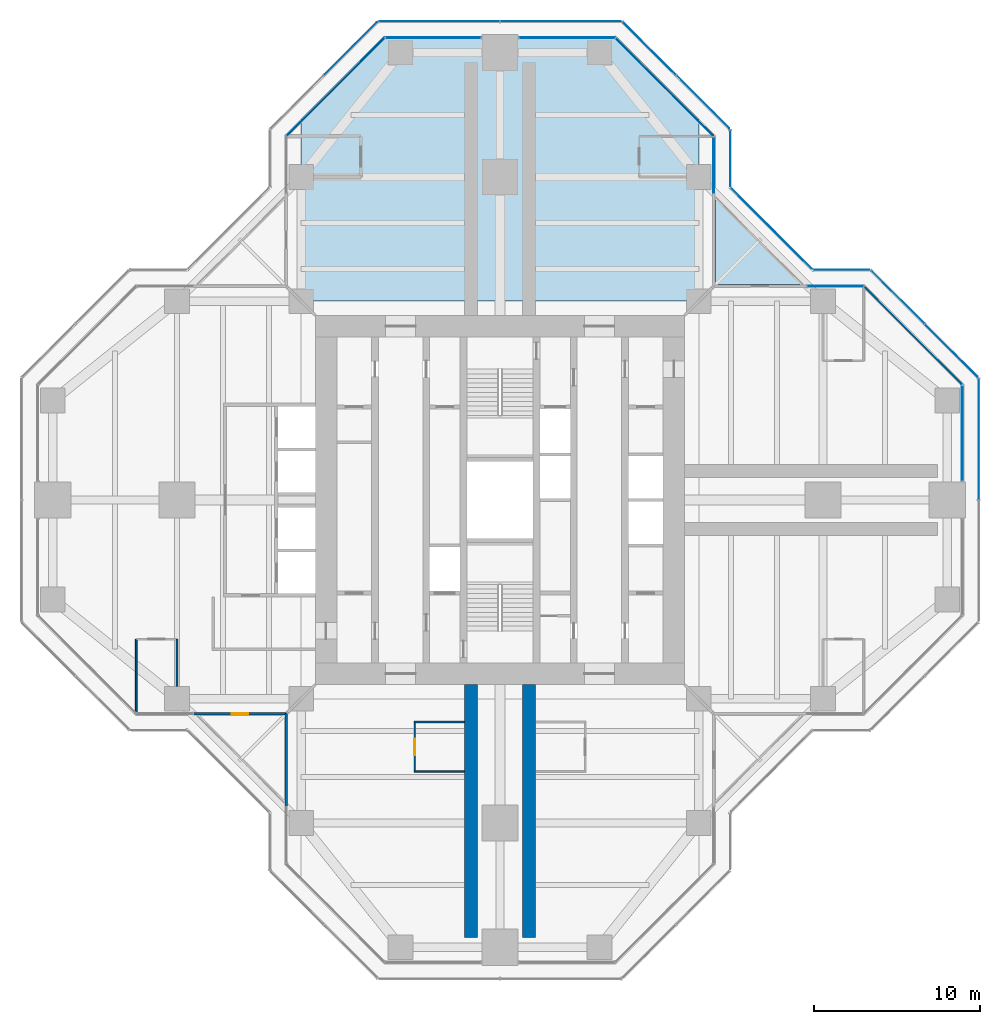
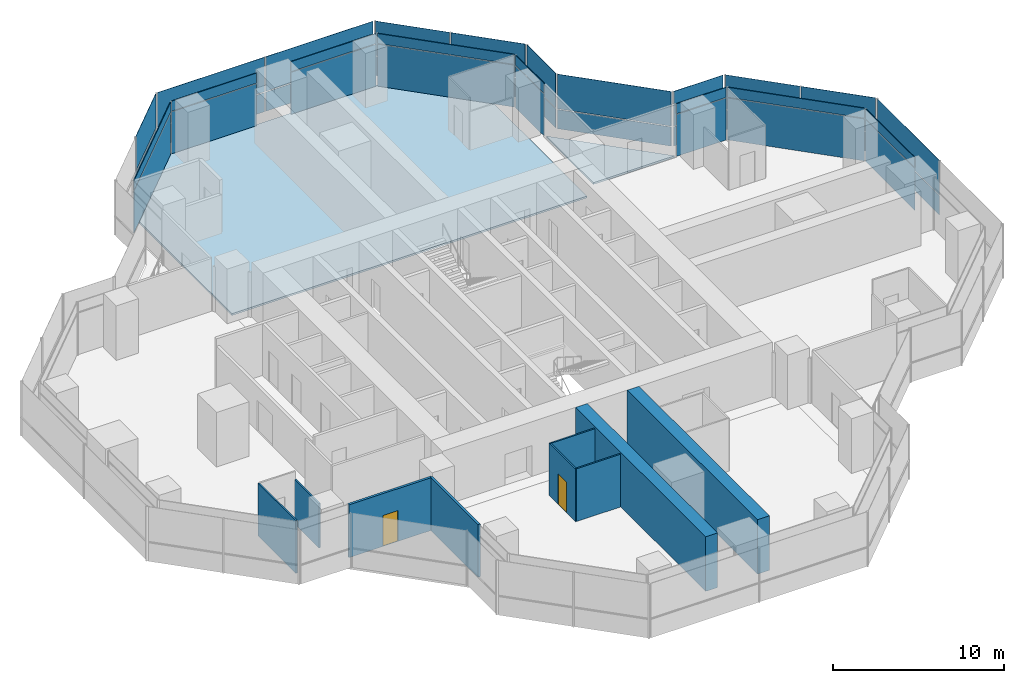
# One storey, part 12 of 17: 38 plates, 9 walls, 2 doors, 2 slabs, 2 openings, 16 elements without a shape of their own.
"""IFC4 building model written with IfcOpenShell, lengths in metres."""

from ifc_helpers import new_model, si_unit, direction, frame, frame_2d, origin, origin_2d, place, context, subcontext, project, spatial, polyline, rectangle, outline, extrude, material, layer, layer_set, type_object, element, fill, aggregate, save


model = new_model("IFC4")

# Units and contexts
model_context = context("Model", 3, precision=1e-05, world=origin(), true_north=direction((0.0, 1.0)))
body_context = subcontext(model_context, "Body", "Model", "MODEL_VIEW")
ifc_project = project(units=[si_unit("LENGTHUNIT", "METRE"), si_unit("AREAUNIT", "SQUARE_METRE"), si_unit("VOLUMEUNIT", "CUBIC_METRE"), si_unit("PLANEANGLEUNIT", "RADIAN"), si_unit("MASSUNIT", "GRAM", prefix="KILO")], contexts=[model_context])

# Site, building, storey
site_placement = place(None, origin())
site = spatial("IfcSite", under=ifc_project, at=site_placement, CompositionType="ELEMENT")
building_placement = place(site_placement, origin())
building = spatial("IfcBuilding", under=site, at=building_placement, Name="Mizan Broadcast Tower", CompositionType="ELEMENT")
storey_placement = place(building_placement, frame((0.0, 0.0, 255.60009765625)))
storey = spatial("IfcBuildingStorey", under=building, at=storey_placement, Name="L60", CompositionType="ELEMENT", Elevation=255.60009765625)

# Slab
ifc_material_1 = material(Name="Concrete C32/40", Category="concrete")
ifc_layer_1 = layer(ifc_material_1, 0.1298828125)
ifc_layer_set_1 = layer_set([ifc_layer_1], Name="Concrete C32/40")
slab_type_1 = type_object("IfcSlabType", Name="COMPOSITE DECK SLAB 130", PredefinedType="FLOOR", material=ifc_layer_set_1)
slab_1_placement = place(storey_placement, frame((0.0, 0.0, -0.130126953125)))
element("IfcSlab", 1, at=slab_1_placement, inside=storey, type_object=slab_type_1, Name="Floor slab L60 north arm", PredefinedType="FLOOR", context=body_context, shape_type="SweptSolid", body=[
    extrude(outline(polyline([(-7.0, 28.0), (-12.0, 23.0), (-12.0, 12.0), (12.0, 12.0), (12.0, 23.0), (7.0, 28.0), (-7.0, 28.0)])), origin(), (0.0, 0.0, 1.0), 0.130126953125),
])

# Curtain wall, plate
ifc_material_2 = material(Name="Aluminium framed glazing", Category="aluminium")
curtain_wall_type_1 = type_object("IfcCurtainWallType", Name="INNER SKIN HIGH ZONE", PredefinedType="USERDEFINED", material=ifc_material_2)
curtain_wall_1_placement = place(storey_placement, origin())
curtain_wall_1 = element("IfcCurtainWall", 2, at=curtain_wall_1_placement, inside=storey, type_object=curtain_wall_type_1, Name="Inner skin high zone L60 E end", ObjectType="INNER SKIN HIGH ZONE", PredefinedType="USERDEFINED")
ifc_material_3 = material(Name="Double glazing, clear low-e", Category="glass")
ifc_layer_2 = layer(ifc_material_3, 0.028076171875)
ifc_layer_set_2 = layer_set([ifc_layer_2], Name="Double glazing, clear low-e")
plate_type_1 = type_object("IfcPlateType", Name="INNER SKIN GLAZING UNIT", PredefinedType="CURTAIN_PANEL", material=ifc_layer_set_2)
plate_1_placement = place(storey_placement, frame((27.89990234375, 4.029296875, 0.0), z_axis=(0.0, 0.0, 1.0), x_axis=(0.0, 1.0, 0.0)))
plate_1 = element("IfcPlate", 3, at=plate_1_placement, type_object=plate_type_1, Name="Inner skin high zone L60 E end panel 1.1", PredefinedType="CURTAIN_PANEL", context=body_context, shape_type="SweptSolid", body=[
    extrude(rectangle(XDim=5.738525390625, YDim=0.028076171875, at=origin_2d()), origin(), (0.0, 0.0, 1.0), 3.0),
])

curtain_wall_2_placement = place(storey_placement, origin())
curtain_wall_2 = element("IfcCurtainWall", 4, at=curtain_wall_2_placement, inside=storey, type_object=curtain_wall_type_1, Name="Inner skin high zone L60 E chamfer", ObjectType="INNER SKIN HIGH ZONE", PredefinedType="USERDEFINED")
plate_2_placement = place(storey_placement, frame((24.92919921875, 9.92919921875, 0.0), z_axis=(0.0, 0.0, 1.0), x_axis=(-0.707106781187, 0.707106781187, 0.0)))
plate_2 = element("IfcPlate", 5, at=plate_2_placement, type_object=plate_type_1, Name="Inner skin high zone L60 E chamfer panel 1.1", PredefinedType="CURTAIN_PANEL", context=body_context, shape_type="SweptSolid", body=[
    extrude(rectangle(XDim=8.282470703125, YDim=0.028076171875, at=origin_2d()), origin(), (0.0, 0.0, 1.0), 3.0),
])

curtain_wall_3_placement = place(storey_placement, origin())
curtain_wall_3 = element("IfcCurtainWall", 6, at=curtain_wall_3_placement, inside=storey, type_object=curtain_wall_type_1, Name="Inner skin high zone L60 E side", ObjectType="INNER SKIN HIGH ZONE", PredefinedType="USERDEFINED")
plate_3_placement = place(storey_placement, frame((20.229248046875, 12.89990234375, 0.0), z_axis=(0.0, 0.0, 1.0), x_axis=(-1.0, 0.0, 0.0)))
plate_3 = element("IfcPlate", 7, at=plate_3_placement, type_object=plate_type_1, Name="Inner skin high zone L60 E side panel 1.1", PredefinedType="CURTAIN_PANEL", context=body_context, shape_type="SweptSolid", body=[
    extrude(rectangle(XDim=3.338623046875, YDim=0.028076171875, at=origin_2d()), origin(), (0.0, 0.0, 1.0), 3.0),
])

curtain_wall_4_placement = place(storey_placement, origin())
curtain_wall_4 = element("IfcCurtainWall", 8, at=curtain_wall_4_placement, inside=storey, type_object=curtain_wall_type_1, Name="Inner skin high zone L60 N side", ObjectType="INNER SKIN HIGH ZONE", PredefinedType="USERDEFINED")
plate_4_placement = place(storey_placement, frame((12.89990234375, 20.229248046875, 0.0), z_axis=(0.0, 0.0, 1.0), x_axis=(0.0, 1.0, 0.0)))
plate_4 = element("IfcPlate", 9, at=plate_4_placement, type_object=plate_type_1, Name="Inner skin high zone L60 N side panel 1.1", PredefinedType="CURTAIN_PANEL", context=body_context, shape_type="SweptSolid", body=[
    extrude(rectangle(XDim=3.338623046875, YDim=0.028076171875, at=origin_2d()), origin(), (0.0, 0.0, 1.0), 3.0),
])

curtain_wall_5_placement = place(storey_placement, origin())
curtain_wall_5 = element("IfcCurtainWall", 10, at=curtain_wall_5_placement, inside=storey, type_object=curtain_wall_type_1, Name="Inner skin high zone L60 N chamfer", ObjectType="INNER SKIN HIGH ZONE", PredefinedType="USERDEFINED")
plate_5_placement = place(storey_placement, frame((9.92919921875, 24.92919921875, 0.0), z_axis=(0.0, 0.0, 1.0), x_axis=(-0.707106781187, 0.707106781187, 0.0)))
plate_5 = element("IfcPlate", 11, at=plate_5_placement, type_object=plate_type_1, Name="Inner skin high zone L60 N chamfer panel 1.1", PredefinedType="CURTAIN_PANEL", context=body_context, shape_type="SweptSolid", body=[
    extrude(rectangle(XDim=8.282470703125, YDim=0.028076171875, at=origin_2d()), origin(), (0.0, 0.0, 1.0), 3.0),
])

curtain_wall_6_placement = place(storey_placement, origin())
curtain_wall_6 = element("IfcCurtainWall", 12, at=curtain_wall_6_placement, inside=storey, type_object=curtain_wall_type_1, Name="Inner skin high zone L60 N end", ObjectType="INNER SKIN HIGH ZONE", PredefinedType="USERDEFINED")
plate_6_placement = place(storey_placement, frame((4.029296875, 27.89990234375, 0.0), z_axis=(0.0, 0.0, 1.0), x_axis=(-1.0, 0.0, 0.0)))
plate_6 = element("IfcPlate", 13, at=plate_6_placement, type_object=plate_type_1, Name="Inner skin high zone L60 N end panel 1.1", PredefinedType="CURTAIN_PANEL", context=body_context, shape_type="SweptSolid", body=[
    extrude(rectangle(XDim=5.738525390625, YDim=0.028076171875, at=origin_2d()), origin(), (0.0, 0.0, 1.0), 3.0),
])

curtain_wall_7_placement = place(storey_placement, origin())
curtain_wall_7 = element("IfcCurtainWall", 14, at=curtain_wall_7_placement, inside=storey, type_object=curtain_wall_type_1, Name="Inner skin high zone L60 N end", ObjectType="INNER SKIN HIGH ZONE", PredefinedType="USERDEFINED")
plate_7_placement = place(storey_placement, frame((-4.029296875, 27.89990234375, 0.0), z_axis=(0.0, 0.0, 1.0), x_axis=(-1.0, 0.0, 0.0)))
plate_7 = element("IfcPlate", 15, at=plate_7_placement, type_object=plate_type_1, Name="Inner skin high zone L60 N end panel 1.1", PredefinedType="CURTAIN_PANEL", context=body_context, shape_type="SweptSolid", body=[
    extrude(rectangle(XDim=5.738525390625, YDim=0.028076171875, at=origin_2d()), origin(), (0.0, 0.0, 1.0), 3.0),
])

curtain_wall_8_placement = place(storey_placement, origin())
curtain_wall_8 = element("IfcCurtainWall", 16, at=curtain_wall_8_placement, inside=storey, type_object=curtain_wall_type_1, Name="Inner skin high zone L60 N chamfer", ObjectType="INNER SKIN HIGH ZONE", PredefinedType="USERDEFINED")
plate_8_placement = place(storey_placement, frame((-9.92919921875, 24.92919921875, 0.0), z_axis=(0.0, 0.0, 1.0), x_axis=(-0.707106781187, -0.707106781187, 0.0)))
plate_8 = element("IfcPlate", 17, at=plate_8_placement, type_object=plate_type_1, Name="Inner skin high zone L60 N chamfer panel 1.1", PredefinedType="CURTAIN_PANEL", context=body_context, shape_type="SweptSolid", body=[
    extrude(rectangle(XDim=8.282470703125, YDim=0.028076171875, at=origin_2d()), origin(), (0.0, 0.0, 1.0), 3.0),
])

# Plate
ifc_material_4 = material(Name="Insulated aluminium spandrel panel, pale anodised", Category="aluminium")
ifc_layer_3 = layer(ifc_material_4, 0.050048828125)
ifc_layer_set_3 = layer_set([ifc_layer_3], Name="Insulated aluminium spandrel panel, pale anodised")
plate_type_2 = type_object("IfcPlateType", Name="INNER SKIN SPANDREL PANEL", PredefinedType="CURTAIN_PANEL", material=ifc_layer_set_3)
plate_9_placement = place(storey_placement, frame((27.89990234375, 4.029296875, 3.059814453125), z_axis=(0.0, 0.0, 1.0), x_axis=(0.0, 1.0, 0.0)))
plate_9 = element("IfcPlate", 18, at=plate_9_placement, type_object=plate_type_2, Name="Inner skin high zone L60 E end panel 1.2", PredefinedType="CURTAIN_PANEL", context=body_context, shape_type="SweptSolid", body=[
    extrude(rectangle(XDim=5.738525390625, YDim=0.050048828125, at=origin_2d()), origin(), (0.0, 0.0, 1.0), 0.7099609375),
])

aggregate(curtain_wall_1, [plate_1, plate_9])

plate_10_placement = place(storey_placement, frame((24.92919921875, 9.92919921875, 3.059814453125), z_axis=(0.0, 0.0, 1.0), x_axis=(-0.707106781187, 0.707106781187, 0.0)))
plate_10 = element("IfcPlate", 19, at=plate_10_placement, type_object=plate_type_2, Name="Inner skin high zone L60 E chamfer panel 1.2", PredefinedType="CURTAIN_PANEL", context=body_context, shape_type="SweptSolid", body=[
    extrude(rectangle(XDim=8.282470703125, YDim=0.050048828125, at=origin_2d()), origin(), (0.0, 0.0, 1.0), 0.7099609375),
])

aggregate(curtain_wall_2, [plate_2, plate_10])

plate_11_placement = place(storey_placement, frame((20.229248046875, 12.89990234375, 3.059814453125), z_axis=(0.0, 0.0, 1.0), x_axis=(-1.0, 0.0, 0.0)))
plate_11 = element("IfcPlate", 20, at=plate_11_placement, type_object=plate_type_2, Name="Inner skin high zone L60 E side panel 1.2", PredefinedType="CURTAIN_PANEL", context=body_context, shape_type="SweptSolid", body=[
    extrude(rectangle(XDim=3.338623046875, YDim=0.050048828125, at=origin_2d()), origin(), (0.0, 0.0, 1.0), 0.7099609375),
])

aggregate(curtain_wall_3, [plate_3, plate_11])

plate_12_placement = place(storey_placement, frame((12.89990234375, 20.229248046875, 3.059814453125), z_axis=(0.0, 0.0, 1.0), x_axis=(0.0, 1.0, 0.0)))
plate_12 = element("IfcPlate", 21, at=plate_12_placement, type_object=plate_type_2, Name="Inner skin high zone L60 N side panel 1.2", PredefinedType="CURTAIN_PANEL", context=body_context, shape_type="SweptSolid", body=[
    extrude(rectangle(XDim=3.338623046875, YDim=0.050048828125, at=origin_2d()), origin(), (0.0, 0.0, 1.0), 0.7099609375),
])

aggregate(curtain_wall_4, [plate_4, plate_12])

plate_13_placement = place(storey_placement, frame((9.92919921875, 24.92919921875, 3.059814453125), z_axis=(0.0, 0.0, 1.0), x_axis=(-0.707106781187, 0.707106781187, 0.0)))
plate_13 = element("IfcPlate", 22, at=plate_13_placement, type_object=plate_type_2, Name="Inner skin high zone L60 N chamfer panel 1.2", PredefinedType="CURTAIN_PANEL", context=body_context, shape_type="SweptSolid", body=[
    extrude(rectangle(XDim=8.282470703125, YDim=0.050048828125, at=origin_2d()), origin(), (0.0, 0.0, 1.0), 0.7099609375),
])

aggregate(curtain_wall_5, [plate_5, plate_13])

plate_14_placement = place(storey_placement, frame((4.029296875, 27.89990234375, 3.059814453125), z_axis=(0.0, 0.0, 1.0), x_axis=(-1.0, 0.0, 0.0)))
plate_14 = element("IfcPlate", 23, at=plate_14_placement, type_object=plate_type_2, Name="Inner skin high zone L60 N end panel 1.2", PredefinedType="CURTAIN_PANEL", context=body_context, shape_type="SweptSolid", body=[
    extrude(rectangle(XDim=5.738525390625, YDim=0.050048828125, at=origin_2d()), origin(), (0.0, 0.0, 1.0), 0.7099609375),
])

aggregate(curtain_wall_6, [plate_6, plate_14])

plate_15_placement = place(storey_placement, frame((-4.029296875, 27.89990234375, 3.059814453125), z_axis=(0.0, 0.0, 1.0), x_axis=(-1.0, 0.0, 0.0)))
plate_15 = element("IfcPlate", 24, at=plate_15_placement, type_object=plate_type_2, Name="Inner skin high zone L60 N end panel 1.2", PredefinedType="CURTAIN_PANEL", context=body_context, shape_type="SweptSolid", body=[
    extrude(rectangle(XDim=5.738525390625, YDim=0.050048828125, at=origin_2d()), origin(), (0.0, 0.0, 1.0), 0.7099609375),
])

aggregate(curtain_wall_7, [plate_7, plate_15])

plate_16_placement = place(storey_placement, frame((-9.92919921875, 24.92919921875, 3.059814453125), z_axis=(0.0, 0.0, 1.0), x_axis=(-0.707106781187, -0.707106781187, 0.0)))
plate_16 = element("IfcPlate", 25, at=plate_16_placement, type_object=plate_type_2, Name="Inner skin high zone L60 N chamfer panel 1.2", PredefinedType="CURTAIN_PANEL", context=body_context, shape_type="SweptSolid", body=[
    extrude(rectangle(XDim=8.282470703125, YDim=0.050048828125, at=origin_2d()), origin(), (0.0, 0.0, 1.0), 0.7099609375),
])

aggregate(curtain_wall_8, [plate_8, plate_16])

# Curtain wall, plates
ifc_material_5 = material(Name="Aluminium framed glazing", Category="aluminium")
curtain_wall_type_2 = type_object("IfcCurtainWallType", Name="OUTER SKIN", PredefinedType="USERDEFINED", material=ifc_material_5)
curtain_wall_9_placement = place(storey_placement, origin())
curtain_wall_9 = element("IfcCurtainWall", 26, at=curtain_wall_9_placement, inside=storey, type_object=curtain_wall_type_2, Name="Outer skin L60 E chamfer", ObjectType="OUTER SKIN", PredefinedType="USERDEFINED")
ifc_material_6 = material(Name="Laminated clear glass", Category="glass")
ifc_layer_4 = layer(ifc_material_6, 0.02001953125)
ifc_layer_set_4 = layer_set([ifc_layer_4], Name="Laminated clear glass")
plate_type_3 = type_object("IfcPlateType", Name="OUTER SKIN CLEAR GLASS", PredefinedType="CURTAIN_PANEL", material=ifc_layer_set_4)
plate_17_placement = place(storey_placement, frame((27.254150390625, 9.018798828125, -0.000244140625), z_axis=(0.0, 0.0, 1.0), x_axis=(-0.707106781187, 0.707106781187, 0.0)))
plate_17 = element("IfcPlate", 27, at=plate_17_placement, type_object=plate_type_3, Name="Outer skin L60 E chamfer panel 1.1", PredefinedType="CURTAIN_PANEL", context=body_context, shape_type="SweptSolid", body=[
    extrude(rectangle(XDim=4.495361328125, YDim=0.02001953125, at=origin_2d()), origin(), (0.0, 0.0, 1.0), 1.3701171875),
])
plate_18_placement = place(storey_placement, frame((27.254150390625, 9.018798828125, 1.4296875), z_axis=(0.0, 0.0, 1.0), x_axis=(-0.707106781187, 0.707106781187, 0.0)))
plate_18 = element("IfcPlate", 28, at=plate_18_placement, type_object=plate_type_3, Name="Outer skin L60 E chamfer panel 1.2", PredefinedType="CURTAIN_PANEL", context=body_context, shape_type="SweptSolid", body=[
    extrude(rectangle(XDim=4.495361328125, YDim=0.02001953125, at=origin_2d()), origin(), (0.0, 0.0, 1.0), 2.469970703125),
])

curtain_wall_10_placement = place(storey_placement, origin())
curtain_wall_10 = element("IfcCurtainWall", 29, at=curtain_wall_10_placement, inside=storey, type_object=curtain_wall_type_2, Name="Outer skin L60 E side", ObjectType="OUTER SKIN", PredefinedType="USERDEFINED")
plate_19_placement = place(storey_placement, frame((20.622802734375, 13.89990234375, -0.000244140625), z_axis=(0.0, 0.0, 1.0), x_axis=(-1.0, 0.0, 0.0)))
plate_19 = element("IfcPlate", 30, at=plate_19_placement, type_object=plate_type_3, Name="Outer skin L60 E side panel 1.1", PredefinedType="CURTAIN_PANEL", context=body_context, shape_type="SweptSolid", body=[
    extrude(rectangle(XDim=3.340087890625, YDim=0.02001953125, at=origin_2d()), origin(), (0.0, 0.0, 1.0), 1.3701171875),
])
plate_20_placement = place(storey_placement, frame((20.622802734375, 13.89990234375, 1.4296875), z_axis=(0.0, 0.0, 1.0), x_axis=(-1.0, 0.0, 0.0)))
plate_20 = element("IfcPlate", 31, at=plate_20_placement, type_object=plate_type_3, Name="Outer skin L60 E side panel 1.2", PredefinedType="CURTAIN_PANEL", context=body_context, shape_type="SweptSolid", body=[
    extrude(rectangle(XDim=3.340087890625, YDim=0.02001953125, at=origin_2d()), origin(), (0.0, 0.0, 1.0), 2.469970703125),
])
aggregate(curtain_wall_10, [plate_19, plate_20])

curtain_wall_11_placement = place(storey_placement, origin())
curtain_wall_11 = element("IfcCurtainWall", 32, at=curtain_wall_11_placement, inside=storey, type_object=curtain_wall_type_2, Name="Outer skin L60 E chamfer", ObjectType="OUTER SKIN", PredefinedType="USERDEFINED")
plate_21_placement = place(storey_placement, frame((16.386474609375, 16.386474609375, -0.000244140625), z_axis=(0.0, 0.0, 1.0), x_axis=(-0.707106781187, 0.707106781187, 0.0)))
plate_21 = element("IfcPlate", 33, at=plate_21_placement, type_object=plate_type_3, Name="Outer skin L60 E chamfer panel 1.1", PredefinedType="CURTAIN_PANEL", context=body_context, shape_type="SweptSolid", body=[
    extrude(rectangle(XDim=6.87255859375, YDim=0.02001953125, at=origin_2d()), origin(), (0.0, 0.0, 1.0), 1.3701171875),
])
plate_22_placement = place(storey_placement, frame((16.386474609375, 16.386474609375, 1.4296875), z_axis=(0.0, 0.0, 1.0), x_axis=(-0.707106781187, 0.707106781187, 0.0)))
plate_22 = element("IfcPlate", 34, at=plate_22_placement, type_object=plate_type_3, Name="Outer skin L60 E chamfer panel 1.2", PredefinedType="CURTAIN_PANEL", context=body_context, shape_type="SweptSolid", body=[
    extrude(rectangle(XDim=6.87255859375, YDim=0.02001953125, at=origin_2d()), origin(), (0.0, 0.0, 1.0), 2.469970703125),
])
aggregate(curtain_wall_11, [plate_21, plate_22])

curtain_wall_12_placement = place(storey_placement, origin())
curtain_wall_12 = element("IfcCurtainWall", 35, at=curtain_wall_12_placement, inside=storey, type_object=curtain_wall_type_2, Name="Outer skin L60 N side", ObjectType="OUTER SKIN", PredefinedType="USERDEFINED")
plate_23_placement = place(storey_placement, frame((13.89990234375, 20.622802734375, -0.000244140625), z_axis=(0.0, 0.0, 1.0), x_axis=(0.0, 1.0, 0.0)))
plate_23 = element("IfcPlate", 36, at=plate_23_placement, type_object=plate_type_3, Name="Outer skin L60 N side panel 1.1", PredefinedType="CURTAIN_PANEL", context=body_context, shape_type="SweptSolid", body=[
    extrude(rectangle(XDim=3.340087890625, YDim=0.02001953125, at=origin_2d()), origin(), (0.0, 0.0, 1.0), 1.3701171875),
])
plate_24_placement = place(storey_placement, frame((13.89990234375, 20.622802734375, 1.4296875), z_axis=(0.0, 0.0, 1.0), x_axis=(0.0, 1.0, 0.0)))
plate_24 = element("IfcPlate", 37, at=plate_24_placement, type_object=plate_type_3, Name="Outer skin L60 N side panel 1.2", PredefinedType="CURTAIN_PANEL", context=body_context, shape_type="SweptSolid", body=[
    extrude(rectangle(XDim=3.340087890625, YDim=0.02001953125, at=origin_2d()), origin(), (0.0, 0.0, 1.0), 2.469970703125),
])
aggregate(curtain_wall_12, [plate_23, plate_24])

curtain_wall_13_placement = place(storey_placement, origin())
curtain_wall_13 = element("IfcCurtainWall", 38, at=curtain_wall_13_placement, inside=storey, type_object=curtain_wall_type_2, Name="Outer skin L60 N chamfer", ObjectType="OUTER SKIN", PredefinedType="USERDEFINED")
plate_25_placement = place(storey_placement, frame((12.254150390625, 24.018798828125, -0.000244140625), z_axis=(0.0, 0.0, 1.0), x_axis=(-0.707106781187, 0.707106781187, 0.0)))
plate_25 = element("IfcPlate", 39, at=plate_25_placement, type_object=plate_type_3, Name="Outer skin L60 N chamfer panel 1.1", PredefinedType="CURTAIN_PANEL", context=body_context, shape_type="SweptSolid", body=[
    extrude(rectangle(XDim=4.495361328125, YDim=0.02001953125, at=origin_2d()), origin(), (0.0, 0.0, 1.0), 1.3701171875),
])
plate_26_placement = place(storey_placement, frame((12.254150390625, 24.018798828125, 1.4296875), z_axis=(0.0, 0.0, 1.0), x_axis=(-0.707106781187, 0.707106781187, 0.0)))
plate_26 = element("IfcPlate", 40, at=plate_26_placement, type_object=plate_type_3, Name="Outer skin L60 N chamfer panel 1.2", PredefinedType="CURTAIN_PANEL", context=body_context, shape_type="SweptSolid", body=[
    extrude(rectangle(XDim=4.495361328125, YDim=0.02001953125, at=origin_2d()), origin(), (0.0, 0.0, 1.0), 2.469970703125),
])

curtain_wall_14_placement = place(storey_placement, origin())
curtain_wall_14 = element("IfcCurtainWall", 41, at=curtain_wall_14_placement, inside=storey, type_object=curtain_wall_type_2, Name="Outer skin L60 N end", ObjectType="OUTER SKIN", PredefinedType="USERDEFINED")
plate_27_placement = place(storey_placement, frame((3.66650390625, 28.89990234375, -0.000244140625), z_axis=(0.0, 0.0, 1.0), x_axis=(-1.0, 0.0, 0.0)))
plate_27 = element("IfcPlate", 42, at=plate_27_placement, type_object=plate_type_3, Name="Outer skin L60 N end panel 1.1", PredefinedType="CURTAIN_PANEL", context=body_context, shape_type="SweptSolid", body=[
    extrude(rectangle(XDim=7.252685546875, YDim=0.02001953125, at=origin_2d()), origin(), (0.0, 0.0, 1.0), 1.3701171875),
])
plate_28_placement = place(storey_placement, frame((3.66650390625, 28.89990234375, 1.4296875), z_axis=(0.0, 0.0, 1.0), x_axis=(-1.0, 0.0, 0.0)))
plate_28 = element("IfcPlate", 43, at=plate_28_placement, type_object=plate_type_3, Name="Outer skin L60 N end panel 1.2", PredefinedType="CURTAIN_PANEL", context=body_context, shape_type="SweptSolid", body=[
    extrude(rectangle(XDim=7.252685546875, YDim=0.02001953125, at=origin_2d()), origin(), (0.0, 0.0, 1.0), 2.469970703125),
])
plate_29_placement = place(storey_placement, frame((-3.66650390625, 28.89990234375, -0.000244140625), z_axis=(0.0, 0.0, 1.0), x_axis=(-1.0, 0.0, 0.0)))
plate_29 = element("IfcPlate", 44, at=plate_29_placement, type_object=plate_type_3, Name="Outer skin L60 N end panel 2.1", PredefinedType="CURTAIN_PANEL", context=body_context, shape_type="SweptSolid", body=[
    extrude(rectangle(XDim=7.252685546875, YDim=0.02001953125, at=origin_2d()), origin(), (0.0, 0.0, 1.0), 1.3701171875),
])
plate_30_placement = place(storey_placement, frame((-3.66650390625, 28.89990234375, 1.4296875), z_axis=(0.0, 0.0, 1.0), x_axis=(-1.0, 0.0, 0.0)))
plate_30 = element("IfcPlate", 45, at=plate_30_placement, type_object=plate_type_3, Name="Outer skin L60 N end panel 2.2", PredefinedType="CURTAIN_PANEL", context=body_context, shape_type="SweptSolid", body=[
    extrude(rectangle(XDim=7.252685546875, YDim=0.02001953125, at=origin_2d()), origin(), (0.0, 0.0, 1.0), 2.469970703125),
])
aggregate(curtain_wall_14, [plate_27, plate_28, plate_29, plate_30])

curtain_wall_15_placement = place(storey_placement, origin())
curtain_wall_15 = element("IfcCurtainWall", 46, at=curtain_wall_15_placement, inside=storey, type_object=curtain_wall_type_2, Name="Outer skin L60 N chamfer", ObjectType="OUTER SKIN", PredefinedType="USERDEFINED")
plate_31_placement = place(storey_placement, frame((-9.018798828125, 27.254150390625, -0.000244140625), z_axis=(0.0, 0.0, 1.0), x_axis=(-0.707106781187, -0.707106781187, 0.0)))
plate_31 = element("IfcPlate", 47, at=plate_31_placement, type_object=plate_type_3, Name="Outer skin L60 N chamfer panel 1.1", PredefinedType="CURTAIN_PANEL", context=body_context, shape_type="SweptSolid", body=[
    extrude(rectangle(XDim=4.495361328125, YDim=0.02001953125, at=origin_2d()), origin(), (0.0, 0.0, 1.0), 1.3701171875),
])
plate_32_placement = place(storey_placement, frame((-9.018798828125, 27.254150390625, 1.4296875), z_axis=(0.0, 0.0, 1.0), x_axis=(-0.707106781187, -0.707106781187, 0.0)))
plate_32 = element("IfcPlate", 48, at=plate_32_placement, type_object=plate_type_3, Name="Outer skin L60 N chamfer panel 1.2", PredefinedType="CURTAIN_PANEL", context=body_context, shape_type="SweptSolid", body=[
    extrude(rectangle(XDim=4.495361328125, YDim=0.02001953125, at=origin_2d()), origin(), (0.0, 0.0, 1.0), 2.469970703125),
])
aggregate(curtain_wall_15, [plate_31, plate_32])

curtain_wall_16_placement = place(storey_placement, origin())
curtain_wall_16 = element("IfcCurtainWall", 49, at=curtain_wall_16_placement, inside=storey, type_object=curtain_wall_type_2, Name="Outer skin L60 E end", ObjectType="OUTER SKIN", PredefinedType="USERDEFINED")
ifc_material_7 = material(Name="Perforated aluminium, pale anodised", Category="aluminium")
ifc_layer_5 = layer(ifc_material_7, 0.011962890625)
ifc_layer_set_5 = layer_set([ifc_layer_5], Name="Perforated aluminium, pale anodised")
plate_type_4 = type_object("IfcPlateType", Name="OUTER SKIN PERFORATED SCREEN", PredefinedType="USERDEFINED", material=ifc_layer_set_5)
plate_33_placement = place(storey_placement, frame((28.89990234375, 3.66650390625, -0.000244140625), z_axis=(0.0, 0.0, 1.0), x_axis=(0.0, 1.0, 0.0)))
plate_33 = element("IfcPlate", 50, at=plate_33_placement, type_object=plate_type_4, Name="Outer skin L60 E end panel 2.1", ObjectType="SCREEN", PredefinedType="USERDEFINED", context=body_context, shape_type="SweptSolid", body=[
    extrude(rectangle(XDim=7.252685546875, YDim=0.011962890625, at=origin_2d()), origin(), (0.0, 0.0, 1.0), 1.3701171875),
])
plate_34_placement = place(storey_placement, frame((28.89990234375, 3.66650390625, 1.4296875), z_axis=(0.0, 0.0, 1.0), x_axis=(0.0, 1.0, 0.0)))
plate_34 = element("IfcPlate", 51, at=plate_34_placement, type_object=plate_type_4, Name="Outer skin L60 E end panel 2.2", ObjectType="SCREEN", PredefinedType="USERDEFINED", context=body_context, shape_type="SweptSolid", body=[
    extrude(rectangle(XDim=7.252685546875, YDim=0.011962890625, at=origin_2d()), origin(), (0.0, 0.0, 1.0), 2.469970703125),
])
aggregate(curtain_wall_16, [plate_33, plate_34])

# Plate
plate_35_placement = place(storey_placement, frame((24.018798828125, 12.254150390625, -0.000244140625), z_axis=(0.0, 0.0, 1.0), x_axis=(-0.707106781187, 0.707106781187, 0.0)))
plate_35 = element("IfcPlate", 52, at=plate_35_placement, type_object=plate_type_4, Name="Outer skin L60 E chamfer panel 2.1", ObjectType="SCREEN", PredefinedType="USERDEFINED", context=body_context, shape_type="SweptSolid", body=[
    extrude(rectangle(XDim=4.495361328125, YDim=0.011962890625, at=origin_2d()), origin(), (0.0, 0.0, 1.0), 1.3701171875),
])

plate_36_placement = place(storey_placement, frame((24.018798828125, 12.254150390625, 1.4296875), z_axis=(0.0, 0.0, 1.0), x_axis=(-0.707106781187, 0.707106781187, 0.0)))
plate_36 = element("IfcPlate", 53, at=plate_36_placement, type_object=plate_type_4, Name="Outer skin L60 E chamfer panel 2.2", ObjectType="SCREEN", PredefinedType="USERDEFINED", context=body_context, shape_type="SweptSolid", body=[
    extrude(rectangle(XDim=4.495361328125, YDim=0.011962890625, at=origin_2d()), origin(), (0.0, 0.0, 1.0), 2.469970703125),
])

aggregate(curtain_wall_9, [plate_17, plate_18, plate_35, plate_36])

plate_37_placement = place(storey_placement, frame((9.018798828125, 27.254150390625, -0.000244140625), z_axis=(0.0, 0.0, 1.0), x_axis=(-0.707106781187, 0.707106781187, 0.0)))
plate_37 = element("IfcPlate", 54, at=plate_37_placement, type_object=plate_type_4, Name="Outer skin L60 N chamfer panel 2.1", ObjectType="SCREEN", PredefinedType="USERDEFINED", context=body_context, shape_type="SweptSolid", body=[
    extrude(rectangle(XDim=4.495361328125, YDim=0.011962890625, at=origin_2d()), origin(), (0.0, 0.0, 1.0), 1.3701171875),
])

plate_38_placement = place(storey_placement, frame((9.018798828125, 27.254150390625, 1.4296875), z_axis=(0.0, 0.0, 1.0), x_axis=(-0.707106781187, 0.707106781187, 0.0)))
plate_38 = element("IfcPlate", 55, at=plate_38_placement, type_object=plate_type_4, Name="Outer skin L60 N chamfer panel 2.2", ObjectType="SCREEN", PredefinedType="USERDEFINED", context=body_context, shape_type="SweptSolid", body=[
    extrude(rectangle(XDim=4.495361328125, YDim=0.011962890625, at=origin_2d()), origin(), (0.0, 0.0, 1.0), 2.469970703125),
])

aggregate(curtain_wall_13, [plate_25, plate_26, plate_37, plate_38])

# Slab
ifc_material_8 = material(Name="Concrete C32/40", Category="concrete")
ifc_layer_6 = layer(ifc_material_8, 0.1298828125)
ifc_layer_set_6 = layer_set([ifc_layer_6], Name="Concrete C32/40")
slab_type_2 = type_object("IfcSlabType", Name="WINTER GARDEN SLAB 130", PredefinedType="FLOOR", material=ifc_layer_set_6)
slab_2_placement = place(storey_placement, frame((0.0, 0.0, -0.130126953125)))
element("IfcSlab", 56, at=slab_2_placement, inside=storey, type_object=slab_type_2, Name="Winter garden slab L60 E", PredefinedType="FLOOR", context=body_context, shape_type="SweptSolid", body=[
    extrude(outline(polyline([(13.0, 13.0), (18.5, 13.0), (13.0, 18.5), (13.0, 13.0)])), origin(), (0.0, 0.0, 1.0), 0.130126953125),
])

# Wall, opening, door
ifc_material_9 = material(Name="Aluminium framed glazed screen", Category="aluminium")
ifc_layer_7 = layer(ifc_material_9, 0.159912109375)
ifc_layer_set_7 = layer_set([ifc_layer_7], Name="Aluminium framed glazed screen")
wall_type_1 = type_object("IfcWallType", Name="GLAZED SCREEN WALL 160", PredefinedType="SOLIDWALL", material=ifc_layer_set_7)
wall_1_placement = place(storey_placement, frame((-18.5, -12.89990234375, 0.0), z_axis=(0.0, 0.0, 1.0), x_axis=(1.0, 0.0, 0.0)))
wall_1 = element("IfcWall", 57, at=wall_1_placement, inside=storey, type_object=wall_type_1, Name="Winter garden screen L60 W", PredefinedType="SOLIDWALL", context=body_context, shape_type="SweptSolid", body=[
    extrude(rectangle(XDim=5.60009765625, YDim=0.159912109375, at=frame_2d((2.800048828125, 0.0))), origin(), (0.0, 0.0, 1.0), 3.77001953125),
])
opening_1_placement = place(wall_1_placement, frame((2.300048828125, 0.0, 0.0)))
opening_1 = element("IfcOpeningElement", 58, at=opening_1_placement, cuts=wall_1, Name="Opening WGD", PredefinedType="OPENING", context=body_context, shape_type="SweptSolid", body=[
    extrude(rectangle(XDim=1.0, YDim=2.199951171875, at=frame_2d((0.5, 1.10009765625))), frame((0.0, 0.08984375, 0.0), z_axis=(0.0, -1.0, 0.0), x_axis=(1.0, 0.0, 0.0)), (0.0, 0.0, 1.0), 0.179931640625),
])
ifc_material_10 = material(Name="Aluminium framed glazed door", Category="aluminium")
door_type_1 = type_object("IfcDoorType", Name="WINTER GARDEN DOOR 1000 GLAZED", OperationType="SINGLE_SWING_LEFT", PredefinedType="DOOR", material=ifc_material_10)
door_1_placement = place(opening_1_placement, origin())
door_1 = element("IfcDoor", 59, at=door_1_placement, inside=storey, type_object=door_type_1, Name="Winter garden door L60 W", OperationType="SINGLE_SWING_RIGHT", OverallHeight=2.199951171875, OverallWidth=1.0, PredefinedType="DOOR", context=body_context, shape_type="SweptSolid", body=[
    extrude(rectangle(XDim=1.0, YDim=2.199951171875, at=frame_2d((0.5, 1.10009765625))), frame((0.0, 0.02490234375, 0.0), z_axis=(0.0, -1.0, 0.0), x_axis=(1.0, 0.0, 0.0)), (0.0, 0.0, 1.0), 0.050048828125),
])
fill(opening_1, door_1)

# Walls
wall_2_placement = place(storey_placement, frame((-12.89990234375, -12.89990234375, 0.0), z_axis=(0.0, 0.0, 1.0), x_axis=(0.0, -1.0, 0.0)))
element("IfcWall", 60, at=wall_2_placement, inside=storey, type_object=wall_type_1, Name="Winter garden screen L60 S", PredefinedType="SOLIDWALL", context=body_context, shape_type="SweptSolid", body=[
    extrude(rectangle(XDim=5.60009765625, YDim=0.159912109375, at=frame_2d((2.800048828125, 0.0))), origin(), (0.0, 0.0, 1.0), 3.77001953125),
])
ifc_material_11 = material(Name="Glazed aluminium partition on aluminium track", Category="aluminium")
ifc_layer_8 = layer(ifc_material_11, 0.10009765625)
ifc_layer_set_8 = layer_set([ifc_layer_8], Name="Glazed aluminium partition on aluminium track")
wall_type_2 = type_object("IfcWallType", Name="PARTITION GLAZED OFFICE FRONT 100", PredefinedType="PARTITIONING", material=ifc_layer_set_8)
wall_3_placement = place(storey_placement, frame((-19.5, -8.39990234375, 0.0), z_axis=(0.0, 0.0, 1.0), x_axis=(0.0, -1.0, 0.0)))
element("IfcWall", 61, at=wall_3_placement, inside=storey, type_object=wall_type_2, Name="Glazed office front PT/WQP1950", PredefinedType="PARTITIONING", context=body_context, shape_type="SweptSolid", body=[
    extrude(rectangle(XDim=2.85009765625, YDim=0.10009765625, at=frame_2d((1.425048828125, 0.0))), origin(), (0.0, 0.0, 1.0), 3.179931640625),
])
wall_4_placement = place(storey_placement, frame((-21.958984375, -8.39990234375, 0.0), z_axis=(0.0, 0.0, 1.0), x_axis=(0.0, -1.0, 0.0)))
element("IfcWall", 62, at=wall_4_placement, inside=storey, type_object=wall_type_2, Name="Glazed office front PT/WQP2196", PredefinedType="PARTITIONING", context=body_context, shape_type="SweptSolid", body=[
    extrude(rectangle(XDim=4.420166015625, YDim=0.10009765625, at=frame_2d((2.2099609375, 0.0))), origin(), (0.0, 0.0, 1.0), 3.77001953125),
])
for number, where, z_axis, x_axis, name in (
    (63, (-2.14990234375, -13.39990234375, 0.0), (0.0, 0.0, 1.0), (-1.0, 0.0, 0.0), "Glazed office front PT/SKN0a"),
    (64, (-2.14990234375, -16.39990234375, 0.0), (0.0, 0.0, 1.0), (-1.0, 0.0, 0.0), "Glazed office front PT/SKN0b"),
):
    element("IfcWall", number, at=place(storey_placement, frame(where, z_axis=z_axis, x_axis=x_axis)), inside=storey, type_object=wall_type_2, Name=name, PredefinedType="PARTITIONING", context=body_context, shape_type="SweptSolid", body=[
        extrude(rectangle(XDim=3.0, YDim=0.10009765625, at=frame_2d((1.5, 0.0))), origin(), (0.0, 0.0, 1.0), 3.77001953125),
    ])

# Wall, opening, door
wall_5_placement = place(storey_placement, frame((-5.14990234375, -13.35009765625, 0.0), z_axis=(0.0, 0.0, 1.0), x_axis=(0.0, -1.0, 0.0)))
wall_5 = element("IfcWall", 65, at=wall_5_placement, inside=storey, type_object=wall_type_2, Name="Glazed office front PT/SKN0f", PredefinedType="PARTITIONING", context=body_context, shape_type="SweptSolid", body=[
    extrude(rectangle(XDim=3.099853515625, YDim=0.10009765625, at=frame_2d((1.5498046875, 0.0))), origin(), (0.0, 0.0, 1.0), 3.77001953125),
])
opening_2_placement = place(wall_5_placement, frame((1.050048828125, 0.0, 0.0)))
opening_2 = element("IfcOpeningElement", 66, at=opening_2_placement, cuts=wall_5, Name="Opening D10O", PredefinedType="OPENING", context=body_context, shape_type="SweptSolid", body=[
    extrude(rectangle(XDim=1.0, YDim=2.199951171875, at=frame_2d((0.5, 1.10009765625))), frame((0.0, 0.06005859375, 0.0), z_axis=(0.0, -1.0, 0.0), x_axis=(1.0, 0.0, 0.0)), (0.0, 0.0, 1.0), 0.1201171875),
])
ifc_material_12 = material(Name="Timber door leaf in aluminium frame", Category="wood")
door_type_2 = type_object("IfcDoorType", Name="OFFICE DOOR 1000 GLAZED", OperationType="SINGLE_SWING_LEFT", PredefinedType="DOOR", material=ifc_material_12)
door_2_placement = place(opening_2_placement, origin())
door_2 = element("IfcDoor", 67, at=door_2_placement, inside=storey, type_object=door_type_2, Name="Meeting room door", OperationType="SINGLE_SWING_LEFT", OverallHeight=2.199951171875, OverallWidth=1.0, PredefinedType="DOOR", context=body_context, shape_type="SweptSolid", body=[
    extrude(rectangle(XDim=1.0, YDim=2.199951171875, at=frame_2d((0.5, 1.10009765625))), frame((0.0, 0.02490234375, 0.0), z_axis=(0.0, -1.0, 0.0), x_axis=(1.0, 0.0, 0.0)), (0.0, 0.0, 1.0), 0.050048828125),
])
fill(opening_2, door_2)

# Walls
ifc_material_13 = material(Name="Concrete C70/85", Category="concrete")
ifc_layer_9 = layer(ifc_material_13, 0.800048828125)
ifc_layer_set_9 = layer_set([ifc_layer_9], Name="Concrete C70/85")
wall_type_3 = type_object("IfcWallType", Name="SPINE WALL 800", PredefinedType="SHEAR", material=ifc_layer_set_9)
for number, where, z_axis, x_axis, name in (
    (68, (-1.75, -11.14990234375, 0.0), (0.0, 0.0, 1.0), (0.0, -1.0, 0.0), "Spine wall SR L60"),
    (69, (1.75, -11.14990234375, 0.0), (0.0, 0.0, 1.0), (0.0, -1.0, 0.0), "Spine wall SL L60"),
):
    element("IfcWall", number, at=place(storey_placement, frame(where, z_axis=z_axis, x_axis=x_axis)), inside=storey, type_object=wall_type_3, Name=name, PredefinedType="SHEAR", context=body_context, shape_type="SweptSolid", body=[
        extrude(rectangle(XDim=15.25, YDim=0.800048828125, at=frame_2d((7.625, 0.0))), origin(), (0.0, 0.0, 1.0), 3.89990234375),
    ])

save(model, "model.ifc")
